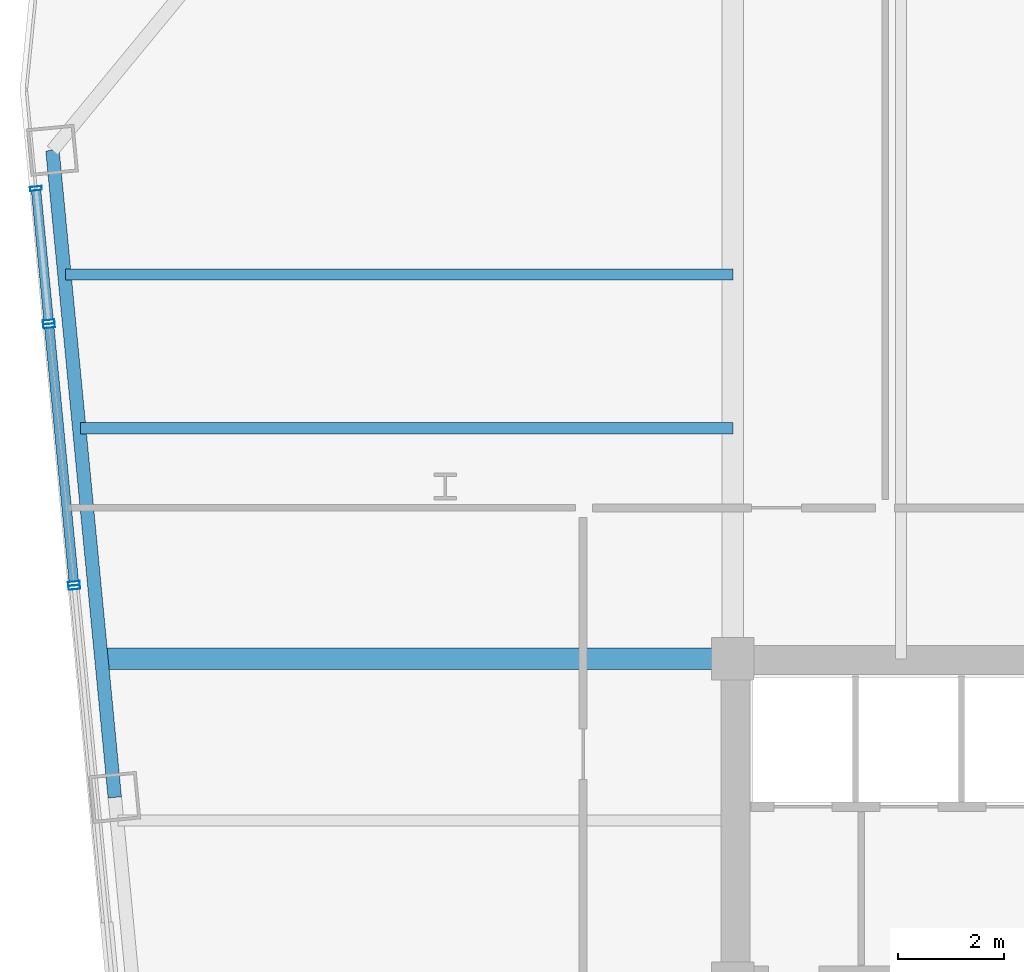
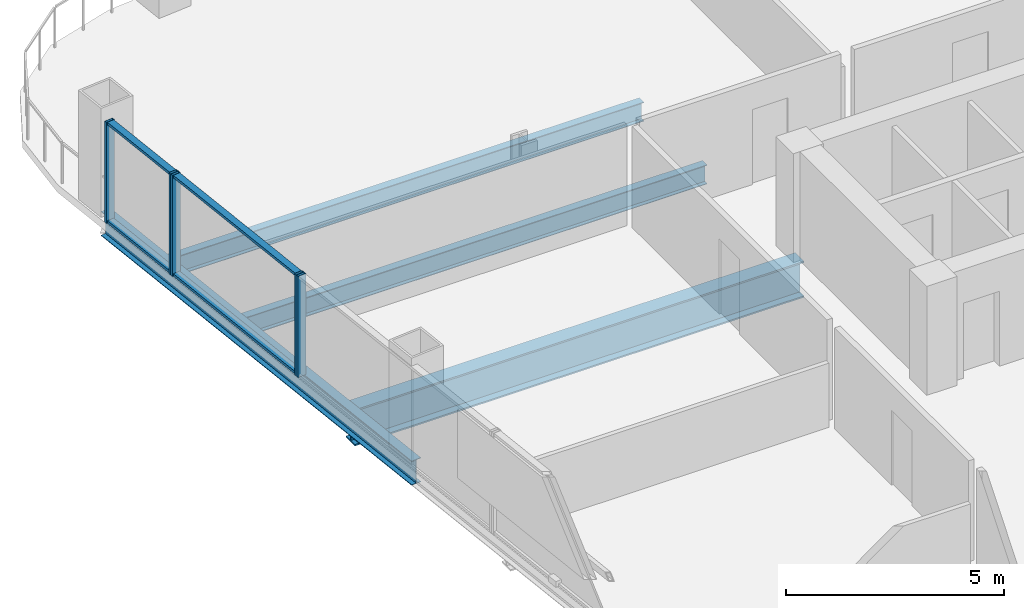
# One storey, part 18 of 32: 9 members, 4 beams, 3 elements without a shape of their own.
"""IFC4 building model written with IfcOpenShell, lengths in metres."""

from ifc_helpers import new_model, si_unit, direction, frame, origin, origin_2d, place, context, subcontext, project, spatial, hollow_rectangle, i_section, extrude, material, layer, layer_set, material_profile, profile_set, type_object, element, aggregate, save


model = new_model("IFC4")

# Units and contexts
model_context = context("Model", 3, precision=1e-05, world=origin(), true_north=direction((0.0, 1.0)))
body_context = subcontext(model_context, "Body", "Model", "MODEL_VIEW")
ifc_project = project(units=[si_unit("LENGTHUNIT", "METRE"), si_unit("AREAUNIT", "SQUARE_METRE"), si_unit("VOLUMEUNIT", "CUBIC_METRE"), si_unit("PLANEANGLEUNIT", "RADIAN"), si_unit("MASSUNIT", "GRAM", prefix="KILO")], contexts=[model_context])

# Site, building, storey
site_placement = place(None, origin())
site = spatial("IfcSite", under=ifc_project, at=site_placement, CompositionType="ELEMENT")
building_placement = place(site_placement, origin())
building = spatial("IfcBuilding", under=site, at=building_placement, Name="Qhalaya Broadcast Tower", CompositionType="ELEMENT")
storey_placement = place(building_placement, frame((0.0, 0.0, 87.75)))
storey = spatial("IfcBuildingStorey", under=building, at=storey_placement, Name="L25", CompositionType="ELEMENT", Elevation=87.75)

# Beams
ifc_material_1 = material(Name="Structural Steel ASTM A992 Grade 50", Category="steel")
ifc_material_profile_1 = material_profile(ifc_material_1, i_section(OverallWidth=0.2099609375, OverallDepth=0.535888671875, WebThickness=0.010986328125, FlangeThickness=0.017333984375, at=origin_2d()), Name="W21X68")
ifc_profile_set_1 = profile_set([ifc_material_profile_1], Name="Structural Steel ASTM A992 Grade 50")
beam_type_1 = type_object("IfcBeamType", Name="Composite Floor Joist J02", PredefinedType="JOIST", material=ifc_profile_set_1)
beam_1_placement = place(storey_placement, frame((-21.6875, 14.300048828125, -0.488037109375), z_axis=(1.0, 0.0, 0.0), x_axis=(0.0, 1.0, 0.0)))
element("IfcBeam", 1, at=beam_1_placement, inside=storey, type_object=beam_type_1, Name="L25 J02 L25-JWE6W-1", PredefinedType="JOIST", context=body_context, shape_type="SweptSolid", body=[
    extrude(i_section(OverallWidth=0.2099609375, OverallDepth=0.535888671875, WebThickness=0.010986328125, FlangeThickness=0.017333984375, at=origin_2d()), origin(), (0.0, 0.0, 1.0), 12.3125),
])
beam_2_placement = place(storey_placement, frame((-21.966796875, 17.199951171875, -0.488037109375), z_axis=(1.0, 0.0, 0.0), x_axis=(0.0, 1.0, 0.0)))
element("IfcBeam", 2, at=beam_2_placement, inside=storey, type_object=beam_type_1, Name="L25 J02 L25-JWE7W-1", PredefinedType="JOIST", context=body_context, shape_type="SweptSolid", body=[
    extrude(i_section(OverallWidth=0.2099609375, OverallDepth=0.535888671875, WebThickness=0.010986328125, FlangeThickness=0.017333984375, at=origin_2d()), origin(), (0.0, 0.0, 1.0), 12.591796875),
])
ifc_material_profile_2 = material_profile(ifc_material_1, i_section(OverallWidth=0.40087890625, OverallDepth=1.010986328125, WebThickness=0.023681640625, FlangeThickness=0.0419921875, at=origin_2d()), Name="W40X297")
ifc_profile_set_2 = profile_set([ifc_material_profile_2], Name="Structural Steel ASTM A992 Grade 50")
beam_type_2 = type_object("IfcBeamType", Name="Lower Block Primary Girder PG2", PredefinedType="USERDEFINED", material=ifc_profile_set_2)
beam_3_placement = place(storey_placement, frame((-21.2685546875, 9.949951171875, -0.7255859375), z_axis=(1.0, 0.0, 0.0), x_axis=(0.0, 1.0, 0.0)))
element("IfcBeam", 3, at=beam_3_placement, inside=storey, type_object=beam_type_2, Name="L25 PG2 L25-PGYW4-1", ObjectType="GIRDER", PredefinedType="USERDEFINED", context=body_context, shape_type="SweptSolid", body=[
    extrude(i_section(OverallWidth=0.40087890625, OverallDepth=1.010986328125, WebThickness=0.023681640625, FlangeThickness=0.0419921875, at=origin_2d()), origin(), (0.0, 0.0, 1.0), 11.8935546875),
])
ifc_material_profile_3 = material_profile(ifc_material_1, i_section(OverallWidth=0.25390625, OverallDepth=0.68310546875, WebThickness=0.012451171875, FlangeThickness=0.01904296875, at=origin_2d()), Name="W27X94")
ifc_profile_set_3 = profile_set([ifc_material_profile_3], Name="Structural Steel ASTM A992 Grade 50")
beam_type_3 = type_object("IfcBeamType", Name="Perimeter Ring Spandrel Beam SP1", PredefinedType="SPANDREL", material=ifc_profile_set_3)
beam_4_placement = place(storey_placement, frame((-22.212646484375, 19.54541015625, -0.5615234375), z_axis=(0.095851586307, -0.99539563662, 0.0), x_axis=(0.99539563662, 0.095851586307, 0.0)))
element("IfcBeam", 4, at=beam_4_placement, inside=storey, type_object=beam_type_3, Name="L25 SP1 L25-SPR-13", PredefinedType="SPANDREL", context=body_context, shape_type="SweptSolid", body=[
    extrude(i_section(OverallWidth=0.25390625, OverallDepth=0.68310546875, WebThickness=0.012451171875, FlangeThickness=0.01904296875, at=origin_2d()), origin(), (0.0, 0.0, 1.0), 12.2666015625),
])

# Curtain wall, members
ifc_material_2 = material(Name="Fired Architectural Terracotta", Category="masonry")
ifc_layer_1 = layer(ifc_material_2, 0.219970703125, Name="Fired Architectural Terracotta")
ifc_layer_set_1 = layer_set([ifc_layer_1], Name="Fired Architectural Terracotta")
curtain_wall_type_1 = type_object("IfcCurtainWallType", Name="Block-Cap Unitised Terracotta Spandrel Wall CW-07", PredefinedType="NOTDEFINED", material=ifc_layer_set_1)
curtain_wall_1_placement = place(storey_placement, origin())
curtain_wall_1 = element("IfcCurtainWall", 5, at=curtain_wall_1_placement, inside=storey, type_object=curtain_wall_type_1, Name="L25 Unitised Curtain Wall L25-CW-W1", PredefinedType="NOTDEFINED")
ifc_material_3 = material(Name="Anodised Aluminium 6063-T6", Category="aluminium")
ifc_material_profile_4 = material_profile(ifc_material_3, hollow_rectangle(XDim=0.074951171875, YDim=0.219970703125, WallThickness=0.00390625, at=origin_2d()), Name="ALU-MUL 75x220x4")
ifc_profile_set_4 = profile_set([ifc_material_profile_4], Name="Anodised Aluminium 6063-T6")
member_type_1 = type_object("IfcMemberType", Name="Unitised Curtain-Wall Mullion M01", PredefinedType="MULLION", material=ifc_profile_set_4)
member_1_placement = place(storey_placement, frame((-22.52490234375, 18.82470703125, 0.0), z_axis=(0.0, 0.0, 1.0), x_axis=(0.095852900962, -0.995395510025, 0.0)))
member_1 = element("IfcMember", 6, at=member_1_placement, type_object=member_type_1, Name="CW-07 mullion 1", PredefinedType="MULLION", context=body_context, shape_type="SweptSolid", body=[
    extrude(hollow_rectangle(XDim=0.074951171875, YDim=0.219970703125, WallThickness=0.00390625, at=origin_2d()), origin(), (0.0, 0.0, 1.0), 2.830078125),
])
member_2_placement = place(storey_placement, frame((-22.28271484375, 16.307373046875, 0.0), z_axis=(0.0, 0.0, 1.0), x_axis=(0.095852900962, -0.995395510025, 0.0)))
member_2 = element("IfcMember", 7, at=member_2_placement, type_object=member_type_1, Name="CW-07 mullion 2", PredefinedType="MULLION", context=body_context, shape_type="SweptSolid", body=[
    extrude(hollow_rectangle(XDim=0.074951171875, YDim=0.219970703125, WallThickness=0.00390625, at=origin_2d()), origin(), (0.0, 0.0, 1.0), 2.830078125),
])

ifc_material_4 = material(Name="Solar-Control Low-E Triple Glazing", Category="glass")
ifc_layer_2 = layer(ifc_material_4, 0.219970703125, Name="Solar-Control Low-E Triple Glazing")
ifc_layer_set_2 = layer_set([ifc_layer_2], Name="Solar-Control Low-E Triple Glazing")
curtain_wall_type_2 = type_object("IfcCurtainWallType", Name="Even-Block 4-Storey Double-Module Curtain Wall CW-03", PredefinedType="NOTDEFINED", material=ifc_layer_set_2)
curtain_wall_2_placement = place(storey_placement, origin())
curtain_wall_2 = element("IfcCurtainWall", 8, at=curtain_wall_2_placement, inside=storey, type_object=curtain_wall_type_2, Name="L25 Unitised Curtain Wall L25-CW-W2", PredefinedType="NOTDEFINED")
member_3_placement = place(storey_placement, frame((-22.275390625, 16.232666015625, 0.0), z_axis=(0.0, 0.0, 1.0), x_axis=(0.095844611292, -0.995396308254, 0.0)))
member_3 = element("IfcMember", 9, at=member_3_placement, type_object=member_type_1, Name="CW-03 mullion 1", PredefinedType="MULLION", context=body_context, shape_type="SweptSolid", body=[
    extrude(hollow_rectangle(XDim=0.074951171875, YDim=0.219970703125, WallThickness=0.00390625, at=origin_2d()), origin(), (0.0, 0.0, 1.0), 2.830078125),
])
member_4_placement = place(storey_placement, frame((-21.807373046875, 11.3720703125, 0.0), z_axis=(0.0, 0.0, 1.0), x_axis=(0.095844611292, -0.995396308254, 0.0)))
member_4 = element("IfcMember", 10, at=member_4_placement, type_object=member_type_1, Name="CW-03 mullion 2", PredefinedType="MULLION", context=body_context, shape_type="SweptSolid", body=[
    extrude(hollow_rectangle(XDim=0.074951171875, YDim=0.219970703125, WallThickness=0.00390625, at=origin_2d()), origin(), (0.0, 0.0, 1.0), 2.830078125),
])

# Curtain wall, member
curtain_wall_3_placement = place(storey_placement, origin())
curtain_wall_3 = element("IfcCurtainWall", 11, at=curtain_wall_3_placement, inside=storey, type_object=curtain_wall_type_1, Name="L25 Unitised Curtain Wall L25-CW-W3", PredefinedType="NOTDEFINED")
member_5_placement = place(storey_placement, frame((-21.80029296875, 11.29736328125, 0.0), z_axis=(0.0, 0.0, 1.0), x_axis=(0.095849092763, -0.995395876733, 0.0)))
member_5 = element("IfcMember", 12, at=member_5_placement, type_object=member_type_1, Name="CW-07 mullion 1", PredefinedType="MULLION", context=body_context, shape_type="SweptSolid", body=[
    extrude(hollow_rectangle(XDim=0.074951171875, YDim=0.219970703125, WallThickness=0.00390625, at=origin_2d()), origin(), (0.0, 0.0, 1.0), 2.830078125),
])
aggregate(curtain_wall_3, [member_5])

# Member
ifc_material_profile_5 = material_profile(ifc_material_3, hollow_rectangle(XDim=0.074951171875, YDim=0.179931640625, WallThickness=0.00390625, at=origin_2d()), Name="ALU-TRN 75x180x4")
ifc_profile_set_5 = profile_set([ifc_material_profile_5], Name="Anodised Aluminium 6063-T6")
member_type_2 = type_object("IfcMemberType", Name="Unitised Curtain-Wall Transom T01", PredefinedType="USERDEFINED", material=ifc_profile_set_5)
member_6_placement = place(storey_placement, frame((-22.521484375, 18.787353515625, 0.03759765625), z_axis=(0.095907664817, -0.995390234948, 0.0), x_axis=(0.0, 0.0, 1.0)))
member_6 = element("IfcMember", 13, at=member_6_placement, type_object=member_type_2, Name="CW-07 transom 1.1", ObjectType="TRANSOM", PredefinedType="USERDEFINED", context=body_context, shape_type="SweptSolid", body=[
    extrude(hollow_rectangle(XDim=0.074951171875, YDim=0.179931640625, WallThickness=0.00390625, at=origin_2d()), origin(), (0.0, 0.0, 1.0), 2.453857421875),
])

member_7_placement = place(storey_placement, frame((-22.521484375, 18.787353515625, 2.79248046875), z_axis=(0.095907664817, -0.995390234948, 0.0), x_axis=(0.0, 0.0, 1.0)))
member_7 = element("IfcMember", 14, at=member_7_placement, type_object=member_type_2, Name="CW-07 transom 1.2", ObjectType="TRANSOM", PredefinedType="USERDEFINED", context=body_context, shape_type="SweptSolid", body=[
    extrude(hollow_rectangle(XDim=0.074951171875, YDim=0.179931640625, WallThickness=0.00390625, at=origin_2d()), origin(), (0.0, 0.0, 1.0), 2.453857421875),
])

aggregate(curtain_wall_1, [member_1, member_2, member_6, member_7])

member_8_placement = place(storey_placement, frame((-22.271728515625, 16.1953125, 0.03759765625), z_axis=(0.0958178693, -0.995398882822, 0.0), x_axis=(0.0, 0.0, 1.0)))
member_8 = element("IfcMember", 15, at=member_8_placement, type_object=member_type_2, Name="CW-03 transom 1.1", ObjectType="TRANSOM", PredefinedType="USERDEFINED", context=body_context, shape_type="SweptSolid", body=[
    extrude(hollow_rectangle(XDim=0.074951171875, YDim=0.179931640625, WallThickness=0.00390625, at=origin_2d()), origin(), (0.0, 0.0, 1.0), 4.80810546875),
])

member_9_placement = place(storey_placement, frame((-22.271728515625, 16.1953125, 2.79248046875), z_axis=(0.0958178693, -0.995398882822, 0.0), x_axis=(0.0, 0.0, 1.0)))
member_9 = element("IfcMember", 16, at=member_9_placement, type_object=member_type_2, Name="CW-03 transom 1.2", ObjectType="TRANSOM", PredefinedType="USERDEFINED", context=body_context, shape_type="SweptSolid", body=[
    extrude(hollow_rectangle(XDim=0.074951171875, YDim=0.179931640625, WallThickness=0.00390625, at=origin_2d()), origin(), (0.0, 0.0, 1.0), 4.80810546875),
])

aggregate(curtain_wall_2, [member_3, member_4, member_8, member_9])

save(model, "model.ifc")
